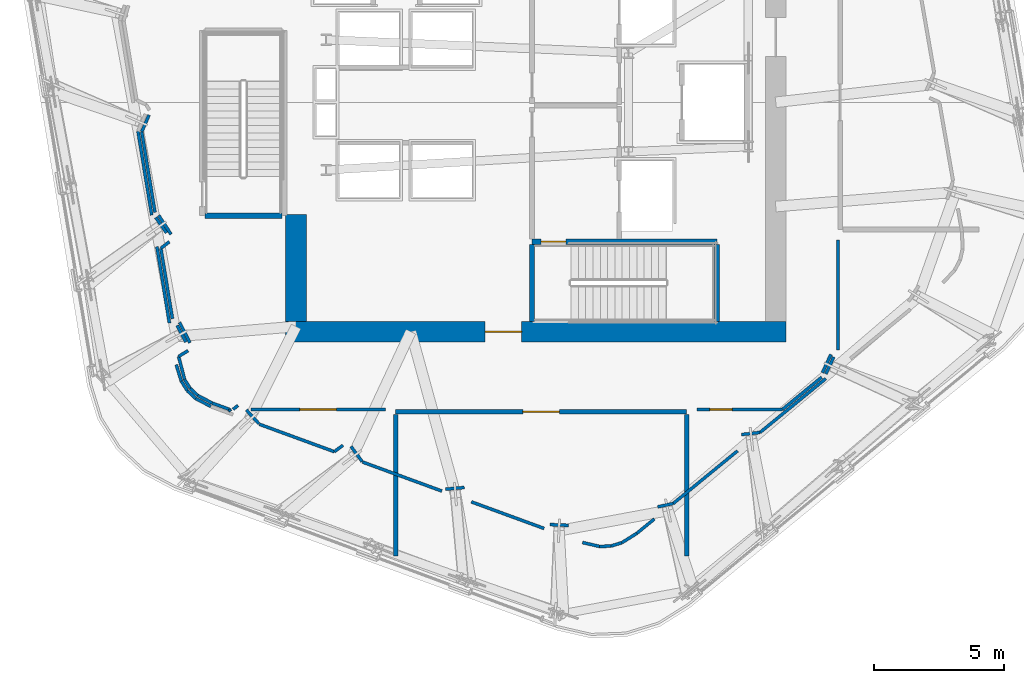
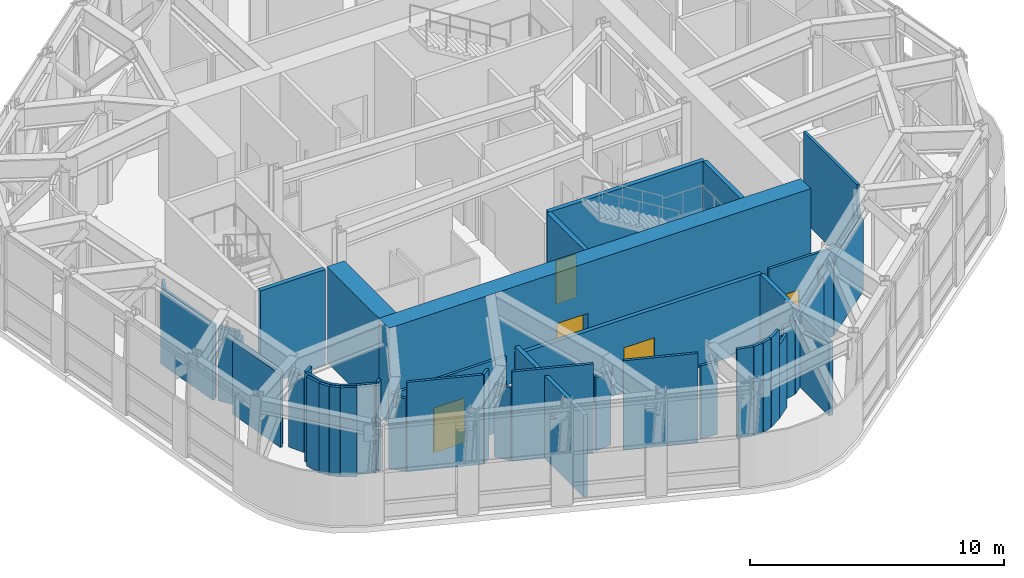
# One storey, part 9 of 16: 54 walls, 5 doors, 5 openings.
"""IFC4 building model written with IfcOpenShell, lengths in metres."""

import ifcopenshell
import ifcopenshell.guid

model = None  # the IFC model being written
_history = None  # IfcOwnerHistory: only IFC2X3 demands one
_inside = {}  # id of a spatial element -> (the spatial element, [elements in it])
_under = {}  # id of a project, library or spatial element -> (it, [spatial elements below it])
_declared = {}  # id of a project -> (the project, [libraries it declares])
_typed = {}  # id of a type object -> (the type object, [elements of that type])
_made_of = {}  # id of a material, layer set ... -> (it, [elements and type objects made of it])


def new_model(schema):
    """Start an empty IFC model of exactly this schema.

    Asked for "IFC4X3", IfcOpenShell would pick the latest addendum, in which some entities
    have other attributes; the version numbers below select the first issue.
    IFC2X3 requires an IfcOwnerHistory on every rooted entity: one is made here for all.
    """
    global model, _history
    if schema == "IFC4X3":
        model = ifcopenshell.file(schema_version=(4, 3, 0, 0))
    else:
        model = ifcopenshell.file(schema=schema)
    _inside.clear()
    _under.clear()
    _declared.clear()
    _typed.clear()
    _made_of.clear()
    _history = None
    if model.schema == "IFC2X3":
        org = make("IfcOrganization", Name="unknown")
        user = make(
            "IfcPersonAndOrganization",
            ThePerson=make("IfcPerson", FamilyName="unknown"),
            TheOrganization=org,
        )
        app = make(
            "IfcApplication",
            ApplicationDeveloper=org,
            Version="unknown",
            ApplicationFullName="unknown",
            ApplicationIdentifier="unknown",
        )
        _history = make(
            "IfcOwnerHistory",
            OwningUser=user,
            OwningApplication=app,
            ChangeAction="ADDED",
            CreationDate=0,
        )
    return model


def make(cls, **values):
    """One entity of the class cls with the attributes given. An attribute that is None is left unset."""
    return model.create_entity(
        cls, **{name: value for name, value in values.items() if value is not None}
    )


def rooted(cls, **values):
    """An entity with a GlobalId (a new one), such as an element, a storey or a relation."""
    return make(cls, GlobalId=ifcopenshell.guid.new(), OwnerHistory=_history, **values)


def si_unit(unit_type, name, prefix=None):
    """IfcSIUnit, for example si_unit("LENGTHUNIT", "METRE", prefix="MILLI")."""
    return make("IfcSIUnit", UnitType=unit_type, Prefix=prefix, Name=name)


def assignment(units):
    """IfcUnitAssignment: the units of a project."""
    return None if units is None else make("IfcUnitAssignment", Units=units)


def point(xyz):
    """IfcCartesianPoint."""
    return None if xyz is None else make("IfcCartesianPoint", Coordinates=xyz)


def direction(xyz):
    """IfcDirection."""
    return None if xyz is None else make("IfcDirection", DirectionRatios=xyz)


def frame(location, z_axis=None, x_axis=None):
    """IfcAxis2Placement3D, a coordinate frame: its origin and axes. An axis left out is left unset."""
    return make(
        "IfcAxis2Placement3D",
        Location=point(location),
        Axis=direction(z_axis),
        RefDirection=direction(x_axis),
    )


def frame_2d(location, x_axis=None):
    """IfcAxis2Placement2D, a coordinate frame in the plane: its origin and x axis."""
    return make(
        "IfcAxis2Placement2D", Location=point(location), RefDirection=direction(x_axis)
    )


def origin():
    """The frame at (0, 0, 0) with its axes left unset."""
    return frame((0.0, 0.0, 0.0))


def place(relative_to, where):
    """IfcLocalPlacement: puts the frame where relative to a parent placement (None: the world)."""
    return make(
        "IfcLocalPlacement", PlacementRelTo=relative_to, RelativePlacement=where
    )


def context(
    kind, dimensions, precision=None, world=None, true_north=None, identifier=None
):
    """IfcGeometricRepresentationContext, for example the 3D "Model" context."""
    return make(
        "IfcGeometricRepresentationContext",
        ContextIdentifier=identifier,
        ContextType=kind,
        CoordinateSpaceDimension=dimensions,
        Precision=precision,
        WorldCoordinateSystem=world,
        TrueNorth=true_north,
    )


def subcontext(parent, identifier, kind, view, scale=None):
    """IfcGeometricRepresentationSubContext, for example "Body" below "Model"."""
    return make(
        "IfcGeometricRepresentationSubContext",
        ContextIdentifier=identifier,
        ContextType=kind,
        ParentContext=parent,
        TargetScale=scale,
        TargetView=view,
    )


def project(units=None, contexts=None):
    """IfcProject with its units and contexts."""
    return rooted(
        "IfcProject",
        Name="project",
        RepresentationContexts=contexts,
        UnitsInContext=assignment(units),
    )


def spatial(cls, under=None, at=None, **own):
    """A site, building, storey or space (cls), placed at a placement, below another one or the project."""
    s = rooted(cls, ObjectPlacement=at, **own)
    if under is not None:
        _under.setdefault(under.id(), (under, []))[1].append(s)
    return s


def profile(cls, at=None, kind="AREA", **sizes):
    """A parametric profile (cls). Its sizes go by their IFC names, for example OverallWidth=200.0."""
    return make(cls, ProfileType=kind, Position=at, **sizes)


def rectangle(**sizes):
    """IfcRectangleProfileDef."""
    return profile("IfcRectangleProfileDef", **sizes)


def extrude(swept, where, along, depth):
    """IfcExtrudedAreaSolid: the profile swept, set in the frame where, extruded along a direction by depth."""
    return make(
        "IfcExtrudedAreaSolid",
        SweptArea=swept,
        Position=where,
        ExtrudedDirection=direction(along),
        Depth=depth,
    )


def shape(context_of_items, identifier, shape_type, items):
    """IfcShapeRepresentation: the items that make up one representation, for example the "Body"."""
    return make(
        "IfcShapeRepresentation",
        ContextOfItems=context_of_items,
        RepresentationIdentifier=identifier,
        RepresentationType=shape_type,
        Items=items,
    )


def material(Name=None, Category=None):
    """IfcMaterial."""
    return make("IfcMaterial", Name=Name, Category=Category)


def layer(
    of_material, thickness, ventilated=None, Name=None, Category=None, Priority=None
):
    """IfcMaterialLayer: one layer of a wall or slab, of a material (None: an air gap)."""
    return make(
        "IfcMaterialLayer",
        Material=of_material,
        LayerThickness=thickness,
        IsVentilated=ventilated,
        Name=Name,
        Category=Category,
        Priority=Priority,
    )


def layer_set(layers, Name=None):
    """IfcMaterialLayerSet."""
    return make("IfcMaterialLayerSet", MaterialLayers=layers, LayerSetName=Name)


def made_of(thing, what):
    """Note that an element or type object is made of a material, layer set ...; save() writes the relation."""
    if what is not None:
        _made_of.setdefault(what.id(), (what, []))[1].append(thing)
    return thing


def type_object(cls, material=None, **own):
    """A type object (cls), such as IfcWallType, which elements share."""
    return made_of(rooted(cls, **own), material)


def element(
    cls,
    number,
    at=None,
    inside=None,
    cuts=None,
    type_object=None,
    material=None,
    context=None,
    identifier="Body",
    shape_type=None,
    held_by="IfcProductDefinitionShape",
    body=None,
    shapes=None,
    **own,
):
    """One element of the class cls, such as IfcWall. Its Tag is "e" and its number.

    at: its placement. inside: the storey or other place that contains it. cuts: it is an
    opening in that element (IfcRelVoidsElement). A single representation is given by context,
    identifier, shape_type and body (its items); several are given by shapes. held_by: the class
    of the entity that holds the representations. save() writes the other relations.
    """
    e = rooted(cls, Tag="e%d" % number, ObjectPlacement=at, **own)
    if body is not None:
        shapes = [shape(context, identifier, shape_type, body)]
    if shapes is not None:
        e.Representation = make(held_by, Representations=shapes)
    if inside is not None:
        _inside.setdefault(inside.id(), (inside, []))[1].append(e)
    if cuts is not None:
        rooted(
            "IfcRelVoidsElement", RelatingBuildingElement=cuts, RelatedOpeningElement=e
        )
    if type_object is not None:
        _typed.setdefault(type_object.id(), (type_object, []))[1].append(e)
    return made_of(e, material)


def fill(opening, filler):
    """IfcRelFillsElement: the door or window that sits in an opening."""
    return rooted(
        "IfcRelFillsElement",
        RelatingOpeningElement=opening,
        RelatedBuildingElement=filler,
    )


def aggregate(whole, parts):
    """IfcRelAggregates: a whole, such as a stair, and the parts it consists of."""
    return rooted("IfcRelAggregates", RelatingObject=whole, RelatedObjects=parts)


def save(model, path):
    """Write the relations noted so far, then the file.

    IfcRelAggregates (storeys below a building ...), IfcRelContainedInSpatialStructure (elements
    in a storey), IfcRelDefinesByType, IfcRelAssociatesMaterial and IfcRelDeclares: one each for
    every whole, place, type object, material and project.
    """
    for whole, parts in _under.values():
        aggregate(whole, parts)
    for where, things in _inside.values():
        rooted(
            "IfcRelContainedInSpatialStructure",
            RelatedElements=things,
            RelatingStructure=where,
        )
    for kind, things in _typed.values():
        rooted("IfcRelDefinesByType", RelatedObjects=things, RelatingType=kind)
    for what, things in _made_of.values():
        rooted("IfcRelAssociatesMaterial", RelatedObjects=things, RelatingMaterial=what)
    for by, libraries in _declared.values():
        rooted("IfcRelDeclares", RelatingContext=by, RelatedDefinitions=libraries)
    model.write(path)


model = new_model("IFC4")

# Units and contexts
model_context = context("Model", 3, precision=1e-05, world=origin(), true_north=direction((0.0, 1.0)))
body_context = subcontext(model_context, "Body", "Model", "MODEL_VIEW")
ifc_project = project(units=[si_unit("LENGTHUNIT", "METRE"), si_unit("AREAUNIT", "SQUARE_METRE"), si_unit("VOLUMEUNIT", "CUBIC_METRE"), si_unit("PLANEANGLEUNIT", "RADIAN"), si_unit("MASSUNIT", "GRAM", prefix="KILO")], contexts=[model_context])

# Site, building, storey
site_placement = place(None, origin())
site = spatial("IfcSite", under=ifc_project, at=site_placement, CompositionType="ELEMENT")
building_placement = place(site_placement, origin())
building = spatial("IfcBuilding", under=site, at=building_placement, Name="Valkerne Bourse Tower", CompositionType="ELEMENT")
storey_placement = place(building_placement, frame((0.0, 0.0, 193.199951171875)))
storey = spatial("IfcBuildingStorey", under=building, at=storey_placement, Name="L49", CompositionType="ELEMENT", Elevation=193.199951171875)

# Wall, opening, door
ifc_material_1 = material(Name="Concrete C55/67", Category="concrete")
ifc_layer_1 = layer(ifc_material_1, 0.800048828125)
ifc_layer_set_1 = layer_set([ifc_layer_1], Name="Concrete C55/67")
wall_type_1 = type_object("IfcWallType", Name="W-CORE-800", PredefinedType="SHEAR", material=ifc_layer_set_1)
wall_1_placement = place(storey_placement, frame((37.199951171875, 18.199951171875, 0.0), z_axis=(0.0, 0.0, 1.0), x_axis=(1.0, 0.0, 0.0)))
wall_1 = element("IfcWall", 1, at=wall_1_placement, inside=storey, type_object=wall_type_1, Name="L49 Core Shear Wall SOUTH", PredefinedType="SHEAR", context=body_context, shape_type="SweptSolid", body=[
    extrude(rectangle(XDim=19.199951171875, YDim=0.800048828125, at=frame_2d((9.60009765625, 0.0))), origin(), (0.0, 0.0, 1.0), 4.60009765625),
])
opening_1_placement = place(wall_1_placement, frame((7.64990234375, 0.0, 0.0)))
opening_1 = element("IfcOpeningElement", 2, at=opening_1_placement, cuts=wall_1, Name="Opening D-PL-1400", PredefinedType="OPENING", context=body_context, shape_type="SweptSolid", body=[
    extrude(rectangle(XDim=1.39990234375, YDim=2.14990234375, at=frame_2d((0.699951171875, 1.074951171875))), frame((0.0, 0.409912109375, 0.0), z_axis=(0.0, -1.0, 0.0), x_axis=(1.0, 0.0, 0.0)), (0.0, 0.0, 1.0), 0.820068359375),
])
ifc_material_2 = material(Name="Galvanised Painted Steel", Category="steel")
door_type_1 = type_object("IfcDoorType", Name="DR-PLT-1400", OperationType="DOUBLE_DOOR_SINGLE_SWING", PredefinedType="DOOR", material=ifc_material_2)
door_1_placement = place(opening_1_placement, origin())
door_1 = element("IfcDoor", 3, at=door_1_placement, inside=storey, type_object=door_type_1, Name="L49 South Passenger Lift Hall Fire Door", OperationType="DOUBLE_DOOR_SINGLE_SWING", OverallHeight=2.14990234375, OverallWidth=1.39990234375, PredefinedType="DOOR", context=body_context, shape_type="SweptSolid", body=[
    extrude(rectangle(XDim=1.39990234375, YDim=2.14990234375, at=frame_2d((0.699951171875, 1.074951171875))), frame((0.0, 0.02490234375, 0.0), z_axis=(0.0, -1.0, 0.0), x_axis=(1.0, 0.0, 0.0)), (0.0, 0.0, 1.0), 0.050048828125),
])
fill(opening_1, door_1)

# Walls
wall_2_placement = place(storey_placement, frame((37.60009765625, 18.60009765625, 0.0), z_axis=(0.0, 0.0, 1.0), x_axis=(0.0, 1.0, 0.0)))
element("IfcWall", 4, at=wall_2_placement, inside=storey, type_object=wall_type_1, Name="L49 Core Shear Wall WEST-S", PredefinedType="SHEAR", context=body_context, shape_type="SweptSolid", body=[
    extrude(rectangle(XDim=4.099853515625, YDim=0.800048828125, at=frame_2d((2.0498046875, 0.0))), origin(), (0.0, 0.0, 1.0), 4.60009765625),
])
ifc_material_3 = material(Name="Gypsum Board Steel-Stud Partition", Category="steel")
ifc_layer_2 = layer(ifc_material_3, 0.117919921875)
ifc_layer_set_2 = layer_set([ifc_layer_2], Name="Gypsum Board Steel-Stud Partition")
wall_type_2 = type_object("IfcWallType", Name="W-CORR-140", PredefinedType="PARTITIONING", material=ifc_layer_set_2)
wall_3_placement = place(storey_placement, frame((58.2236328125, 17.2294921875, 0.0), z_axis=(0.0, 0.0, 1.0), x_axis=(-0.41987529125, -0.907581808873, 0.0)))
element("IfcWall", 5, at=wall_3_placement, inside=storey, type_object=wall_type_2, Name="L49 L49 Outrigger Truss Gallery Ring Wall", PredefinedType="PARTITIONING", context=body_context, shape_type="SweptSolid", body=[
    extrude(rectangle(XDim=0.7197265625, YDim=0.117919921875, at=frame_2d((0.35986328125, 0.0))), origin(), (0.0, 0.0, 1.0), 3.523193359375),
])
wall_4_placement = place(storey_placement, frame((57.91845703125, 16.398681640625, 0.0), z_axis=(0.0, 0.0, 1.0), x_axis=(-0.773777118689, -0.633457946981, 0.0)))
element("IfcWall", 6, at=wall_4_placement, inside=storey, type_object=wall_type_2, Name="L49 L49 Outrigger Truss Gallery Ring Wall", PredefinedType="PARTITIONING", context=body_context, shape_type="SweptSolid", body=[
    extrude(rectangle(XDim=3.260498046875, YDim=0.117919921875, at=frame_2d((1.63037109375, 0.0))), origin(), (0.0, 0.0, 1.0), 3.523193359375),
])
wall_5_placement = place(storey_placement, frame((55.3955078125, 14.333251953125, 0.0), z_axis=(0.0, 0.0, 1.0), x_axis=(-0.993711328713, -0.111972296516, 0.0)))
element("IfcWall", 7, at=wall_5_placement, inside=storey, type_object=wall_type_2, Name="L49 L49 Outrigger Truss Gallery Ring Wall", PredefinedType="PARTITIONING", context=body_context, shape_type="SweptSolid", body=[
    extrude(rectangle(XDim=0.712890625, YDim=0.117919921875, at=frame_2d((0.3564453125, 0.0))), origin(), (0.0, 0.0, 1.0), 3.523193359375),
])
wall_6_placement = place(storey_placement, frame((54.535888671875, 13.629638671875, 0.0), z_axis=(0.0, 0.0, 1.0), x_axis=(-0.773762895651, -0.633475320208, 0.0)))
element("IfcWall", 8, at=wall_6_placement, inside=storey, type_object=wall_type_2, Name="L49 L49 Outrigger Truss Gallery Ring Wall", PredefinedType="PARTITIONING", context=body_context, shape_type="SweptSolid", body=[
    extrude(rectangle(XDim=3.18994140625, YDim=0.117919921875, at=frame_2d((1.594970703125, 0.0))), origin(), (0.0, 0.0, 1.0), 3.523193359375),
])
wall_7_placement = place(storey_placement, frame((52.067626953125, 11.60888671875, 0.0), z_axis=(0.0, 0.0, 1.0), x_axis=(-0.976772763026, -0.214277785621, 0.0)))
element("IfcWall", 9, at=wall_7_placement, inside=storey, type_object=wall_type_2, Name="L49 L49 Outrigger Truss Gallery Ring Wall", PredefinedType="PARTITIONING", context=body_context, shape_type="SweptSolid", body=[
    extrude(rectangle(XDim=0.614013671875, YDim=0.117919921875, at=frame_2d((0.30712890625, 0.0))), origin(), (0.0, 0.0, 1.0), 3.523193359375),
])
wall_8_placement = place(storey_placement, frame((51.34375, 11.016357421875, 0.0), z_axis=(0.0, 0.0, 1.0), x_axis=(-0.773882445944, -0.633329266543, 0.0)))
element("IfcWall", 10, at=wall_8_placement, inside=storey, type_object=wall_type_2, Name="L49 L49 Outrigger Truss Gallery Ring Wall", PredefinedType="PARTITIONING", context=body_context, shape_type="SweptSolid", body=[
    extrude(rectangle(XDim=0.8720703125, YDim=0.117919921875, at=frame_2d((0.43603515625, 0.0))), origin(), (0.0, 0.0, 1.0), 3.523193359375),
])
wall_9_placement = place(storey_placement, frame((50.6689453125, 10.464111328125, 0.0), z_axis=(0.0, 0.0, 1.0), x_axis=(-0.847003359442, -0.531587536624, 0.0)))
element("IfcWall", 11, at=wall_9_placement, inside=storey, type_object=wall_type_2, Name="L49 L49 Outrigger Truss Gallery Ring Wall", PredefinedType="PARTITIONING", context=body_context, shape_type="SweptSolid", body=[
    extrude(rectangle(XDim=0.676513671875, YDim=0.117919921875, at=frame_2d((0.33837890625, 0.0))), origin(), (0.0, 0.0, 1.0), 4.300048828125),
])
wall_10_placement = place(storey_placement, frame((50.095947265625, 10.1044921875, 0.0), z_axis=(0.0, 0.0, 1.0), x_axis=(-0.955815321779, -0.293967805468, 0.0)))
element("IfcWall", 12, at=wall_10_placement, inside=storey, type_object=wall_type_2, Name="L49 L49 Outrigger Truss Gallery Ring Wall", PredefinedType="PARTITIONING", context=body_context, shape_type="SweptSolid", body=[
    extrude(rectangle(XDim=0.43603515625, YDim=0.117919921875, at=frame_2d((0.218017578125, 0.0))), origin(), (0.0, 0.0, 1.0), 4.300048828125),
])
wall_11_placement = place(storey_placement, frame((49.67919921875, 9.976318359375, 0.0), z_axis=(0.0, 0.0, 1.0), x_axis=(-0.999336906328, -0.036410817775, 0.0)))
element("IfcWall", 13, at=wall_11_placement, inside=storey, type_object=wall_type_2, Name="L49 L49 Outrigger Truss Gallery Ring Wall", PredefinedType="PARTITIONING", context=body_context, shape_type="SweptSolid", body=[
    extrude(rectangle(XDim=0.435791015625, YDim=0.117919921875, at=frame_2d((0.2177734375, 0.0))), origin(), (0.0, 0.0, 1.0), 4.300048828125),
])
wall_12_placement = place(storey_placement, frame((49.24365234375, 9.96044921875, 0.0), z_axis=(0.0, 0.0, 1.0), x_axis=(-0.974712664192, 0.223461903383, 0.0)))
element("IfcWall", 14, at=wall_12_placement, inside=storey, type_object=wall_type_2, Name="L49 L49 Outrigger Truss Gallery Ring Wall", PredefinedType="PARTITIONING", context=body_context, shape_type="SweptSolid", body=[
    extrude(rectangle(XDim=0.67626953125, YDim=0.117919921875, at=frame_2d((0.338134765625, 0.0))), origin(), (0.0, 0.0, 1.0), 4.300048828125),
])
wall_13_placement = place(storey_placement, frame((48.05126953125, 10.768310546875, 0.0), z_axis=(0.0, 0.0, 1.0), x_axis=(-0.999072087227, 0.043069299076, 0.0)))
element("IfcWall", 15, at=wall_13_placement, inside=storey, type_object=wall_type_2, Name="L49 L49 Outrigger Truss Gallery Ring Wall", PredefinedType="PARTITIONING", context=body_context, shape_type="SweptSolid", body=[
    extrude(rectangle(XDim=0.719970703125, YDim=0.117919921875, at=frame_2d((0.35986328125, 0.0))), origin(), (0.0, 0.0, 1.0), 3.523193359375),
])
wall_14_placement = place(storey_placement, frame((47.1142578125, 10.649658203125, 0.0), z_axis=(0.0, 0.0, 1.0), x_axis=(-0.939079561452, 0.343699835996, 0.0)))
element("IfcWall", 16, at=wall_14_placement, inside=storey, type_object=wall_type_2, Name="L49 L49 Outrigger Truss Gallery Ring Wall", PredefinedType="PARTITIONING", context=body_context, shape_type="SweptSolid", body=[
    extrude(rectangle(XDim=2.97412109375, YDim=0.117919921875, at=frame_2d((1.487060546875, 0.0))), origin(), (0.0, 0.0, 1.0), 4.300048828125),
])
wall_15_placement = place(storey_placement, frame((44.05029296875, 12.2216796875, 0.0), z_axis=(0.0, 0.0, 1.0), x_axis=(-0.995890425672, -0.090566329583, 0.0)))
element("IfcWall", 17, at=wall_15_placement, inside=storey, type_object=wall_type_2, Name="L49 L49 Outrigger Truss Gallery Ring Wall", PredefinedType="PARTITIONING", context=body_context, shape_type="SweptSolid", body=[
    extrude(rectangle(XDim=0.7197265625, YDim=0.117919921875, at=frame_2d((0.35986328125, 0.0))), origin(), (0.0, 0.0, 1.0), 3.523193359375),
])
wall_16_placement = place(storey_placement, frame((43.19091796875, 12.085693359375, 0.0), z_axis=(0.0, 0.0, 1.0), x_axis=(-0.939075491507, 0.343710955966, 0.0)))
element("IfcWall", 18, at=wall_16_placement, inside=storey, type_object=wall_type_2, Name="L49 L49 Outrigger Truss Gallery Ring Wall", PredefinedType="PARTITIONING", context=body_context, shape_type="SweptSolid", body=[
    extrude(rectangle(XDim=3.24609375, YDim=0.117919921875, at=frame_2d((1.623046875, 0.0))), origin(), (0.0, 0.0, 1.0), 4.300048828125),
])
wall_17_placement = place(storey_placement, frame((40.132080078125, 13.217041015625, 0.0), z_axis=(0.0, 0.0, 1.0), x_axis=(-0.593742538894, 0.804655079837, 0.0)))
element("IfcWall", 19, at=wall_17_placement, inside=storey, type_object=wall_type_2, Name="L49 L49 Outrigger Truss Gallery Ring Wall", PredefinedType="PARTITIONING", context=body_context, shape_type="SweptSolid", body=[
    extrude(rectangle(XDim=0.719970703125, YDim=0.117919921875, at=frame_2d((0.35986328125, 0.0))), origin(), (0.0, 0.0, 1.0), 3.523193359375),
])
wall_18_placement = place(storey_placement, frame((39.39697265625, 13.842529296875, 0.0), z_axis=(0.0, 0.0, 1.0), x_axis=(-0.804641085555, -0.593761503836, 0.0)))
element("IfcWall", 20, at=wall_18_placement, inside=storey, type_object=wall_type_2, Name="L49 L49 Outrigger Truss Gallery Ring Wall", PredefinedType="PARTITIONING", context=body_context, shape_type="SweptSolid", body=[
    extrude(rectangle(XDim=0.41455078125, YDim=0.117919921875, at=frame_2d((0.207275390625, 0.0))), origin(), (0.0, 0.0, 1.0), 4.300048828125),
])
wall_19_placement = place(storey_placement, frame((39.0634765625, 13.596435546875, 0.0), z_axis=(0.0, 0.0, 1.0), x_axis=(-0.939066966357, 0.343734247199, 0.0)))
element("IfcWall", 21, at=wall_19_placement, inside=storey, type_object=wall_type_2, Name="L49 L49 Outrigger Truss Gallery Ring Wall", PredefinedType="PARTITIONING", context=body_context, shape_type="SweptSolid", body=[
    extrude(rectangle(XDim=3.060546875, YDim=0.117919921875, at=frame_2d((1.5302734375, 0.0))), origin(), (0.0, 0.0, 1.0), 4.300048828125),
])
wall_20_placement = place(storey_placement, frame((36.176025390625, 14.66455078125, 0.0), z_axis=(0.0, 0.0, 1.0), x_axis=(-0.674156784632, 0.738588268073, 0.0)))
element("IfcWall", 22, at=wall_20_placement, inside=storey, type_object=wall_type_2, Name="L49 L49 Outrigger Truss Gallery Ring Wall", PredefinedType="PARTITIONING", context=body_context, shape_type="SweptSolid", body=[
    extrude(rectangle(XDim=0.719970703125, YDim=0.117919921875, at=frame_2d((0.35986328125, 0.0))), origin(), (0.0, 0.0, 1.0), 3.523193359375),
])
wall_21_placement = place(storey_placement, frame((34.325927734375, 15.33056640625, 0.0), z_axis=(0.0, 0.0, 1.0), x_axis=(-0.883878121226, 0.467717293691, 0.0)))
element("IfcWall", 23, at=wall_21_placement, inside=storey, type_object=wall_type_2, Name="L49 L49 Outrigger Truss Gallery Ring Wall", PredefinedType="PARTITIONING", context=body_context, shape_type="SweptSolid", body=[
    extrude(rectangle(XDim=0.658203125, YDim=0.117919921875, at=frame_2d((0.3291015625, 0.0))), origin(), (0.0, 0.0, 1.0), 4.300048828125),
])
wall_22_placement = place(storey_placement, frame((33.744140625, 15.638427734375, 0.0), z_axis=(0.0, 0.0, 1.0), x_axis=(-0.732394508184, 0.68088052137, 0.0)))
element("IfcWall", 24, at=wall_22_placement, inside=storey, type_object=wall_type_2, Name="L49 L49 Outrigger Truss Gallery Ring Wall", PredefinedType="PARTITIONING", context=body_context, shape_type="SweptSolid", body=[
    extrude(rectangle(XDim=0.43603515625, YDim=0.117919921875, at=frame_2d((0.218017578125, 0.0))), origin(), (0.0, 0.0, 1.0), 4.300048828125),
])
wall_23_placement = place(storey_placement, frame((33.4248046875, 15.935302734375, 0.0), z_axis=(0.0, 0.0, 1.0), x_axis=(-0.531609282843, 0.846989710915, 0.0)))
element("IfcWall", 25, at=wall_23_placement, inside=storey, type_object=wall_type_2, Name="L49 L49 Outrigger Truss Gallery Ring Wall", PredefinedType="PARTITIONING", context=body_context, shape_type="SweptSolid", body=[
    extrude(rectangle(XDim=0.435791015625, YDim=0.117919921875, at=frame_2d((0.2177734375, 0.0))), origin(), (0.0, 0.0, 1.0), 4.300048828125),
])
wall_24_placement = place(storey_placement, frame((33.193115234375, 16.304443359375, 0.0), z_axis=(0.0, 0.0, 1.0), x_axis=(-0.293773052608, 0.955875197691, 0.0)))
element("IfcWall", 26, at=wall_24_placement, inside=storey, type_object=wall_type_2, Name="L49 L49 Outrigger Truss Gallery Ring Wall", PredefinedType="PARTITIONING", context=body_context, shape_type="SweptSolid", body=[
    extrude(rectangle(XDim=0.658203125, YDim=0.117919921875, at=frame_2d((0.3291015625, 0.0))), origin(), (0.0, 0.0, 1.0), 4.300048828125),
])
wall_25_placement = place(storey_placement, frame((33.36865234375, 17.800537109375, 0.0), z_axis=(0.0, 0.0, 1.0), x_axis=(-0.462473305165, 0.886633206016, 0.0)))
element("IfcWall", 27, at=wall_25_placement, inside=storey, type_object=wall_type_2, Name="L49 L49 Outrigger Truss Gallery Ring Wall", PredefinedType="PARTITIONING", context=body_context, shape_type="SweptSolid", body=[
    extrude(rectangle(XDim=0.719970703125, YDim=0.117919921875, at=frame_2d((0.35986328125, 0.0))), origin(), (0.0, 0.0, 1.0), 3.523193359375),
])
wall_26_placement = place(storey_placement, frame((32.73779296875, 18.53173828125, 0.0), z_axis=(0.0, 0.0, 1.0), x_axis=(-0.161612295712, 0.986854328599, 0.0)))
element("IfcWall", 28, at=wall_26_placement, inside=storey, type_object=wall_type_2, Name="L49 L49 Outrigger Truss Gallery Ring Wall", PredefinedType="PARTITIONING", context=body_context, shape_type="SweptSolid", body=[
    extrude(rectangle(XDim=2.969970703125, YDim=0.117919921875, at=frame_2d((1.48486328125, 0.0))), origin(), (0.0, 0.0, 1.0), 3.523193359375),
])
wall_27_placement = place(storey_placement, frame((32.626708984375, 21.991943359375, 0.0), z_axis=(0.0, 0.0, 1.0), x_axis=(-0.576030770837, 0.817428009704, 0.0)))
element("IfcWall", 29, at=wall_27_placement, inside=storey, type_object=wall_type_2, Name="L49 L49 Outrigger Truss Gallery Ring Wall", PredefinedType="PARTITIONING", context=body_context, shape_type="SweptSolid", body=[
    extrude(rectangle(XDim=0.719970703125, YDim=0.117919921875, at=frame_2d((0.35986328125, 0.0))), origin(), (0.0, 0.0, 1.0), 3.523193359375),
])
wall_28_placement = place(storey_placement, frame((32.0595703125, 22.671630859375, 0.0), z_axis=(0.0, 0.0, 1.0), x_axis=(-0.16165429764, 0.986847449231, 0.0)))
element("IfcWall", 30, at=wall_28_placement, inside=storey, type_object=wall_type_2, Name="L49 L49 Outrigger Truss Gallery Ring Wall", PredefinedType="PARTITIONING", context=body_context, shape_type="SweptSolid", body=[
    extrude(rectangle(XDim=3.2607421875, YDim=0.117919921875, at=frame_2d((1.63037109375, 0.0))), origin(), (0.0, 0.0, 1.0), 3.523193359375),
])
wall_29_placement = place(storey_placement, frame((58.3798828125, 21.7197265625, 0.0), z_axis=(0.0, 0.0, 1.0), x_axis=(0.0, -1.0, 0.0)))
element("IfcWall", 31, at=wall_29_placement, inside=storey, type_object=wall_type_2, Name="L49 Corridor Enclosure Wall", PredefinedType="PARTITIONING", context=body_context, shape_type="SweptSolid", body=[
    extrude(rectangle(XDim=4.225341796875, YDim=0.117919921875, at=frame_2d((2.11279296875, 0.0))), origin(), (0.0, 0.0, 1.0), 4.300048828125),
])
wall_30_placement = place(storey_placement, frame((58.116455078125, 17.325439453125, 0.0), z_axis=(0.0, 0.0, 1.0), x_axis=(-0.42253785144, -0.906345278633, 0.0)))
element("IfcWall", 32, at=wall_30_placement, inside=storey, type_object=wall_type_2, Name="L49 Corridor Enclosure Wall", PredefinedType="PARTITIONING", context=body_context, shape_type="SweptSolid", body=[
    extrude(rectangle(XDim=0.76904296875, YDim=0.117919921875, at=frame_2d((0.384521484375, 0.0))), origin(), (0.0, 0.0, 1.0), 3.523193359375),
])
wall_31_placement = place(storey_placement, frame((57.7626953125, 16.451904296875, 0.0), z_axis=(0.0, 0.0, 1.0), x_axis=(-0.773789479517, -0.633442847768, 0.0)))
element("IfcWall", 33, at=wall_31_placement, inside=storey, type_object=wall_type_2, Name="L49 Corridor Enclosure Wall", PredefinedType="PARTITIONING", context=body_context, shape_type="SweptSolid", body=[
    extrude(rectangle(XDim=1.94482421875, YDim=0.117919921875, at=frame_2d((0.972412109375, 0.0))), origin(), (0.0, 0.0, 1.0), 3.523193359375),
])

# Wall, opening, door
wall_32_placement = place(storey_placement, frame((56.2578125, 15.219970703125, 0.0), z_axis=(0.0, 0.0, 1.0), x_axis=(-1.0, 0.0, 0.0)))
wall_32 = element("IfcWall", 34, at=wall_32_placement, inside=storey, type_object=wall_type_2, Name="L49 Corridor Enclosure Wall", PredefinedType="PARTITIONING", context=body_context, shape_type="SweptSolid", body=[
    extrude(rectangle(XDim=3.277587890625, YDim=0.117919921875, at=frame_2d((1.638671875, 0.0))), origin(), (0.0, 0.0, 1.0), 3.523193359375),
])
opening_2_placement = place(wall_32_placement, frame((1.9287109375, 0.0, 0.0)))
opening_2 = element("IfcOpeningElement", 35, at=opening_2_placement, cuts=wall_32, Name="Opening D-WC-900", PredefinedType="OPENING", context=body_context, shape_type="SweptSolid", body=[
    extrude(rectangle(XDim=0.860107421875, YDim=2.050048828125, at=frame_2d((0.43017578125, 1.02490234375))), frame((0.0, 0.06884765625, 0.0), z_axis=(0.0, -1.0, 0.0), x_axis=(1.0, 0.0, 0.0)), (0.0, 0.0, 1.0), 0.137939453125),
])
ifc_material_4 = material(Name="Architectural White Oak Timber", Category="wood")
door_type_2 = type_object("IfcDoorType", Name="DR-WC-900", OperationType="NOTDEFINED", PredefinedType="DOOR", material=ifc_material_4)
door_2_placement = place(opening_2_placement, origin())
door_2 = element("IfcDoor", 36, at=door_2_placement, inside=storey, type_object=door_type_2, Name="L49 L49 Chilled Water Pump & Heat-Exchanger Plant Room 2 Door", OperationType="SINGLE_SWING_RIGHT", OverallHeight=2.050048828125, OverallWidth=0.860107421875, PredefinedType="DOOR", context=body_context, shape_type="SweptSolid", body=[
    extrude(rectangle(XDim=0.860107421875, YDim=2.050048828125, at=frame_2d((0.43017578125, 1.02490234375))), frame((0.0, 0.02490234375, 0.0), z_axis=(0.0, -1.0, 0.0), x_axis=(1.0, 0.0, 0.0)), (0.0, 0.0, 1.0), 0.050048828125),
])
fill(opening_2, door_2)

wall_33_placement = place(storey_placement, frame((41.019775390625, 15.219970703125, 0.0), z_axis=(0.0, 0.0, 1.0), x_axis=(-1.0, 0.0, 0.0)))
wall_33 = element("IfcWall", 37, at=wall_33_placement, inside=storey, type_object=wall_type_2, Name="L49 Corridor Enclosure Wall", PredefinedType="PARTITIONING", context=body_context, shape_type="SweptSolid", body=[
    extrude(rectangle(XDim=5.161376953125, YDim=0.117919921875, at=frame_2d((2.58056640625, 0.0))), origin(), (0.0, 0.0, 1.0), 3.523193359375),
])
opening_3_placement = place(wall_33_placement, frame((1.880615234375, 0.0, 0.0)))
opening_3 = element("IfcOpeningElement", 38, at=opening_3_placement, cuts=wall_33, Name="Opening D-PL-1400", PredefinedType="OPENING", context=body_context, shape_type="SweptSolid", body=[
    extrude(rectangle(XDim=1.39990234375, YDim=2.14990234375, at=frame_2d((0.699951171875, 1.074951171875))), frame((0.0, 0.06884765625, 0.0), z_axis=(0.0, -1.0, 0.0), x_axis=(1.0, 0.0, 0.0)), (0.0, 0.0, 1.0), 0.137939453125),
])
door_3_placement = place(opening_3_placement, origin())
door_3 = element("IfcDoor", 39, at=door_3_placement, inside=storey, type_object=door_type_1, Name="L49 L49 Supply & Return AHU Mechanical Plant Room 1 Door", OperationType="DOUBLE_DOOR_SINGLE_SWING", OverallHeight=2.14990234375, OverallWidth=1.39990234375, PredefinedType="DOOR", context=body_context, shape_type="SweptSolid", body=[
    extrude(rectangle(XDim=1.39990234375, YDim=2.14990234375, at=frame_2d((0.699951171875, 1.074951171875))), frame((0.0, 0.02490234375, 0.0), z_axis=(0.0, -1.0, 0.0), x_axis=(1.0, 0.0, 0.0)), (0.0, 0.0, 1.0), 0.050048828125),
])
fill(opening_3, door_3)

# Walls
wall_34_placement = place(storey_placement, frame((35.366943359375, 15.36962890625, 0.0), z_axis=(0.0, 0.0, 1.0), x_axis=(-0.775925099156, -0.630825047457, 0.0)))
element("IfcWall", 40, at=wall_34_placement, inside=storey, type_object=wall_type_2, Name="L49 Corridor Enclosure Wall", PredefinedType="PARTITIONING", context=body_context, shape_type="SweptSolid", body=[
    extrude(rectangle(XDim=0.2373046875, YDim=0.117919921875, at=frame_2d((0.11865234375, 0.0))), origin(), (0.0, 0.0, 1.0), 4.300048828125),
])
wall_35_placement = place(storey_placement, frame((35.03515625, 15.219970703125, 0.0), z_axis=(0.0, 0.0, 1.0), x_axis=(-0.939031515217, 0.343831082697, 0.0)))
element("IfcWall", 41, at=wall_35_placement, inside=storey, type_object=wall_type_2, Name="L49 Corridor Enclosure Wall", PredefinedType="PARTITIONING", context=body_context, shape_type="SweptSolid", body=[
    extrude(rectangle(XDim=0.6943359375, YDim=0.117919921875, at=frame_2d((0.34716796875, 0.0))), origin(), (0.0, 0.0, 1.0), 4.300048828125),
])
wall_36_placement = place(storey_placement, frame((34.383056640625, 15.458740234375, 0.0), z_axis=(0.0, 0.0, 1.0), x_axis=(-0.883806757, 0.467852130787, 0.0)))
element("IfcWall", 42, at=wall_36_placement, inside=storey, type_object=wall_type_2, Name="L49 Corridor Enclosure Wall", PredefinedType="PARTITIONING", context=body_context, shape_type="SweptSolid", body=[
    extrude(rectangle(XDim=0.63037109375, YDim=0.117919921875, at=frame_2d((0.315185546875, 0.0))), origin(), (0.0, 0.0, 1.0), 4.300048828125),
])
wall_37_placement = place(storey_placement, frame((33.825927734375, 15.753662109375, 0.0), z_axis=(0.0, 0.0, 1.0), x_axis=(-0.732640876366, 0.680615417309, 0.0)))
element("IfcWall", 43, at=wall_37_placement, inside=storey, type_object=wall_type_2, Name="L49 Corridor Enclosure Wall", PredefinedType="PARTITIONING", context=body_context, shape_type="SweptSolid", body=[
    extrude(rectangle(XDim=0.39892578125, YDim=0.117919921875, at=frame_2d((0.199462890625, 0.0))), origin(), (0.0, 0.0, 1.0), 4.300048828125),
])
wall_38_placement = place(storey_placement, frame((33.53369140625, 16.025146484375, 0.0), z_axis=(0.0, 0.0, 1.0), x_axis=(-0.531482466424, 0.847069293437, 0.0)))
element("IfcWall", 44, at=wall_38_placement, inside=storey, type_object=wall_type_2, Name="L49 Corridor Enclosure Wall", PredefinedType="PARTITIONING", context=body_context, shape_type="SweptSolid", body=[
    extrude(rectangle(XDim=0.399169921875, YDim=0.117919921875, at=frame_2d((0.19970703125, 0.0))), origin(), (0.0, 0.0, 1.0), 4.300048828125),
])
wall_39_placement = place(storey_placement, frame((33.321533203125, 16.36328125, 0.0), z_axis=(0.0, 0.0, 1.0), x_axis=(-0.253062302785, 0.967449983673, 0.0)))
element("IfcWall", 45, at=wall_39_placement, inside=storey, type_object=wall_type_2, Name="L49 Corridor Enclosure Wall", PredefinedType="PARTITIONING", context=body_context, shape_type="SweptSolid", body=[
    extrude(rectangle(XDim=0.91552734375, YDim=0.117919921875, at=frame_2d((0.457763671875, 0.0))), origin(), (0.0, 0.0, 1.0), 4.300048828125),
])
wall_40_placement = place(storey_placement, frame((33.08984375, 17.2490234375, 0.0), z_axis=(0.0, 0.0, 1.0), x_axis=(0.851795593583, 0.523874285255, 0.0)))
element("IfcWall", 46, at=wall_40_placement, inside=storey, type_object=wall_type_2, Name="L49 Corridor Enclosure Wall", PredefinedType="PARTITIONING", context=body_context, shape_type="SweptSolid", body=[
    extrude(rectangle(XDim=0.42724609375, YDim=0.117919921875, at=frame_2d((0.213623046875, 0.0))), origin(), (0.0, 0.0, 1.0), 4.300048828125),
])
wall_41_placement = place(storey_placement, frame((33.52587890625, 17.772216796875, 0.0), z_axis=(0.0, 0.0, 1.0), x_axis=(-0.454290909785, 0.890853393823, 0.0)))
element("IfcWall", 47, at=wall_41_placement, inside=storey, type_object=wall_type_2, Name="L49 Corridor Enclosure Wall", PredefinedType="PARTITIONING", context=body_context, shape_type="SweptSolid", body=[
    extrude(rectangle(XDim=0.88134765625, YDim=0.117919921875, at=frame_2d((0.440673828125, 0.0))), origin(), (0.0, 0.0, 1.0), 3.523193359375),
])
wall_42_placement = place(storey_placement, frame((32.853759765625, 18.69677734375, 0.0), z_axis=(0.0, 0.0, 1.0), x_axis=(-0.162012741163, 0.98678866618, 0.0)))
element("IfcWall", 48, at=wall_42_placement, inside=storey, type_object=wall_type_2, Name="L49 Corridor Enclosure Wall", PredefinedType="PARTITIONING", context=body_context, shape_type="SweptSolid", body=[
    extrude(rectangle(XDim=2.738037109375, YDim=0.117919921875, at=frame_2d((1.369140625, 0.0))), origin(), (0.0, 0.0, 1.0), 3.523193359375),
])
wall_43_placement = place(storey_placement, frame((32.41015625, 21.398681640625, 0.0), z_axis=(0.0, 0.0, 1.0), x_axis=(0.791494359287, 0.611176471419, 0.0)))
element("IfcWall", 49, at=wall_43_placement, inside=storey, type_object=wall_type_2, Name="L49 Corridor Enclosure Wall", PredefinedType="PARTITIONING", context=body_context, shape_type="SweptSolid", body=[
    extrude(rectangle(XDim=0.41015625, YDim=0.117919921875, at=frame_2d((0.205078125, 0.0))), origin(), (0.0, 0.0, 1.0), 3.523193359375),
])
wall_44_placement = place(storey_placement, frame((32.799560546875, 21.9375, 0.0), z_axis=(0.0, 0.0, 1.0), x_axis=(-0.547249362983, 0.836969613974, 0.0)))
element("IfcWall", 50, at=wall_44_placement, inside=storey, type_object=wall_type_2, Name="L49 Corridor Enclosure Wall", PredefinedType="PARTITIONING", context=body_context, shape_type="SweptSolid", body=[
    extrude(rectangle(XDim=0.864501953125, YDim=0.117919921875, at=frame_2d((0.43212890625, 0.0))), origin(), (0.0, 0.0, 1.0), 3.523193359375),
])
wall_45_placement = place(storey_placement, frame((32.183837890625, 22.780029296875, 0.0), z_axis=(0.0, 0.0, 1.0), x_axis=(-0.161719037078, 0.986836842161, 0.0)))
element("IfcWall", 51, at=wall_45_placement, inside=storey, type_object=wall_type_2, Name="L49 Corridor Enclosure Wall", PredefinedType="PARTITIONING", context=body_context, shape_type="SweptSolid", body=[
    extrude(rectangle(XDim=3.132568359375, YDim=0.117919921875, at=frame_2d((1.56640625, 0.0))), origin(), (0.0, 0.0, 1.0), 3.523193359375),
])
wall_46_placement = place(storey_placement, frame((31.67724609375, 25.871337890625, 0.0), z_axis=(0.0, 0.0, 1.0), x_axis=(0.398458403751, 0.917186404435, 0.0)))
element("IfcWall", 52, at=wall_46_placement, inside=storey, type_object=wall_type_2, Name="L49 Corridor Enclosure Wall", PredefinedType="PARTITIONING", context=body_context, shape_type="SweptSolid", body=[
    extrude(rectangle(XDim=0.700439453125, YDim=0.117919921875, at=frame_2d((0.35009765625, 0.0))), origin(), (0.0, 0.0, 1.0), 3.523193359375),
])

# Wall, opening, door
ifc_material_5 = material(Name="Gypsum Fire-Rated Shaftwall", Category="gypsum")
ifc_layer_3 = layer(ifc_material_5, 0.179931640625)
ifc_layer_set_3 = layer_set([ifc_layer_3], Name="Gypsum Fire-Rated Shaftwall")
wall_type_3 = type_object("IfcWallType", Name="W-FSAE-180", PredefinedType="PARTITIONING", material=ifc_layer_set_3)
wall_47_placement = place(storey_placement, frame((41.419921875, 15.1298828125, 0.0), z_axis=(0.0, 0.0, 1.0), x_axis=(1.0, 0.0, 0.0)))
wall_47 = element("IfcWall", 53, at=wall_47_placement, inside=storey, type_object=wall_type_3, Name="L49 L49 South Sky Refuge Fire Wall", PredefinedType="PARTITIONING", context=body_context, shape_type="SweptSolid", body=[
    extrude(rectangle(XDim=11.16015625, YDim=0.179931640625, at=frame_2d((5.580078125, 0.0))), origin(), (0.0, 0.0, 1.0), 3.523193359375),
])
opening_4_placement = place(wall_47_placement, frame((4.8798828125, 0.0, 0.0)))
opening_4 = element("IfcOpeningElement", 54, at=opening_4_placement, cuts=wall_47, Name="Opening D-PL-1400", PredefinedType="OPENING", context=body_context, shape_type="SweptSolid", body=[
    extrude(rectangle(XDim=1.39990234375, YDim=2.14990234375, at=frame_2d((0.699951171875, 1.074951171875))), frame((0.0, 0.099853515625, 0.0), z_axis=(0.0, -1.0, 0.0), x_axis=(1.0, 0.0, 0.0)), (0.0, 0.0, 1.0), 0.199951171875),
])
door_4_placement = place(opening_4_placement, origin())
door_4 = element("IfcDoor", 55, at=door_4_placement, inside=storey, type_object=door_type_1, Name="L49 L49 South Sky Refuge Door", OperationType="DOUBLE_DOOR_SINGLE_SWING", OverallHeight=2.14990234375, OverallWidth=1.39990234375, PredefinedType="DOOR", context=body_context, shape_type="SweptSolid", body=[
    extrude(rectangle(XDim=1.39990234375, YDim=2.14990234375, at=frame_2d((0.699951171875, 1.074951171875))), frame((0.0, 0.02490234375, 0.0), z_axis=(0.0, -1.0, 0.0), x_axis=(1.0, 0.0, 0.0)), (0.0, 0.0, 1.0), 0.050048828125),
])
fill(opening_4, door_4)

# Walls
wall_48_placement = place(storey_placement, frame((41.419921875, 9.60009765625, 0.0), z_axis=(0.0, 0.0, 1.0), x_axis=(0.0, 1.0, 0.0)))
element("IfcWall", 56, at=wall_48_placement, inside=storey, type_object=wall_type_3, Name="L49 L49 South Sky Refuge West Wall", PredefinedType="PARTITIONING", context=body_context, shape_type="SweptSolid", body=[
    extrude(rectangle(XDim=5.419921875, YDim=0.179931640625, at=frame_2d((2.7099609375, 0.0))), origin(), (0.0, 0.0, 1.0), 3.962646484375),
])
wall_49_placement = place(storey_placement, frame((52.580078125, 9.60009765625, 0.0), z_axis=(0.0, 0.0, 1.0), x_axis=(0.0, 1.0, 0.0)))
element("IfcWall", 57, at=wall_49_placement, inside=storey, type_object=wall_type_3, Name="L49 L49 South Sky Refuge East Wall", PredefinedType="PARTITIONING", context=body_context, shape_type="SweptSolid", body=[
    extrude(rectangle(XDim=5.419921875, YDim=0.179931640625, at=frame_2d((2.7099609375, 0.0))), origin(), (0.0, 0.0, 1.0), 3.523193359375),
])
ifc_layer_4 = layer(ifc_material_3, 0.092041015625)
ifc_layer_set_4 = layer_set([ifc_layer_4], Name="Gypsum Board Steel-Stud Partition")
wall_type_4 = type_object("IfcWallType", Name="W-PART-115", PredefinedType="PARTITIONING", material=ifc_layer_set_4)
wall_50_placement = place(storey_placement, frame((35.100341796875, 15.215087890625, 0.0), z_axis=(0.0, 0.0, 1.0), x_axis=(-0.827513188522, -0.561446277771, 0.0)))
element("IfcWall", 58, at=wall_50_placement, inside=storey, type_object=wall_type_4, Name="L49 Suite Partition P03", PredefinedType="PARTITIONING", context=body_context, shape_type="SweptSolid", body=[
    extrude(rectangle(XDim=0.108154296875, YDim=0.092041015625, at=frame_2d((0.05419921875, 0.0))), origin(), (0.0, 0.0, 1.0), 4.300048828125),
])

# Wall, opening, door
ifc_material_6 = material(Name="Concrete C40/50", Category="concrete")
ifc_layer_5 = layer(ifc_material_6, 0.199951171875)
ifc_layer_set_5 = layer_set([ifc_layer_5], Name="Concrete C40/50")
wall_type_5 = type_object("IfcWallType", Name="W-SHF-200", PredefinedType="SHEAR", material=ifc_layer_set_5)
wall_51_placement = place(storey_placement, frame((46.64990234375, 21.64990234375, 0.0), z_axis=(0.0, 0.0, 1.0), x_axis=(1.0, 0.0, 0.0)))
wall_51 = element("IfcWall", 59, at=wall_51_placement, inside=storey, type_object=wall_type_5, Name="L49 Exit Stair ST-1 Structural Shaft Wall North", PredefinedType="SHEAR", context=body_context, shape_type="SweptSolid", body=[
    extrude(rectangle(XDim=7.10009765625, YDim=0.199951171875, at=frame_2d((3.550048828125, 0.0))), origin(), (0.0, 0.0, 1.0), 4.60009765625),
])
opening_5_placement = place(wall_51_placement, frame((0.35009765625, 0.0, 0.0)))
opening_5 = element("IfcOpeningElement", 60, at=opening_5_placement, cuts=wall_51, Name="Opening D-ST-950", PredefinedType="OPENING", context=body_context, shape_type="SweptSolid", body=[
    extrude(rectangle(XDim=0.949951171875, YDim=2.10009765625, at=frame_2d((0.47509765625, 1.050048828125))), frame((0.0, 0.10986328125, 0.0), z_axis=(0.0, -1.0, 0.0), x_axis=(1.0, 0.0, 0.0)), (0.0, 0.0, 1.0), 0.219970703125),
])
door_type_3 = type_object("IfcDoorType", Name="DR-STAIR-950", OperationType="NOTDEFINED", PredefinedType="DOOR", material=ifc_material_2)
door_5_placement = place(opening_5_placement, origin())
door_5 = element("IfcDoor", 61, at=door_5_placement, inside=storey, type_object=door_type_3, Name="L49 Exit Stair ST-1 Door", OperationType="SINGLE_SWING_RIGHT", OverallHeight=2.10009765625, OverallWidth=0.949951171875, PredefinedType="DOOR", context=body_context, shape_type="SweptSolid", body=[
    extrude(rectangle(XDim=0.949951171875, YDim=2.10009765625, at=frame_2d((0.47509765625, 1.050048828125))), frame((0.0, 0.02490234375, 0.0), z_axis=(0.0, -1.0, 0.0), x_axis=(1.0, 0.0, 0.0)), (0.0, 0.0, 1.0), 0.050048828125),
])
fill(opening_5, door_5)

# Walls
for number, where, z_axis, x_axis, name in (
    (62, (46.64990234375, 18.60009765625, 0.0), (0.0, 0.0, 1.0), (0.0, 1.0, 0.0), "L49 Exit Stair ST-1 Structural Shaft Wall West"),
    (63, (53.75, 18.60009765625, 0.0), (0.0, 0.0, 1.0), (0.0, 1.0, 0.0), "L49 Exit Stair ST-1 Structural Shaft Wall East"),
    (64, (34.10009765625, 22.64990234375, 0.0), (0.0, 0.0, 1.0), (1.0, 0.0, 0.0), "L49 Exit Stair ST-3 Structural Shaft Wall South"),
):
    element("IfcWall", number, at=place(storey_placement, frame(where, z_axis=z_axis, x_axis=x_axis)), inside=storey, type_object=wall_type_5, Name=name, PredefinedType="SHEAR", context=body_context, shape_type="SweptSolid", body=[
        extrude(rectangle(XDim=2.949951171875, YDim=0.199951171875, at=frame_2d((1.47509765625, 0.0))), origin(), (0.0, 0.0, 1.0), 4.60009765625),
    ])

save(model, "model.ifc")
